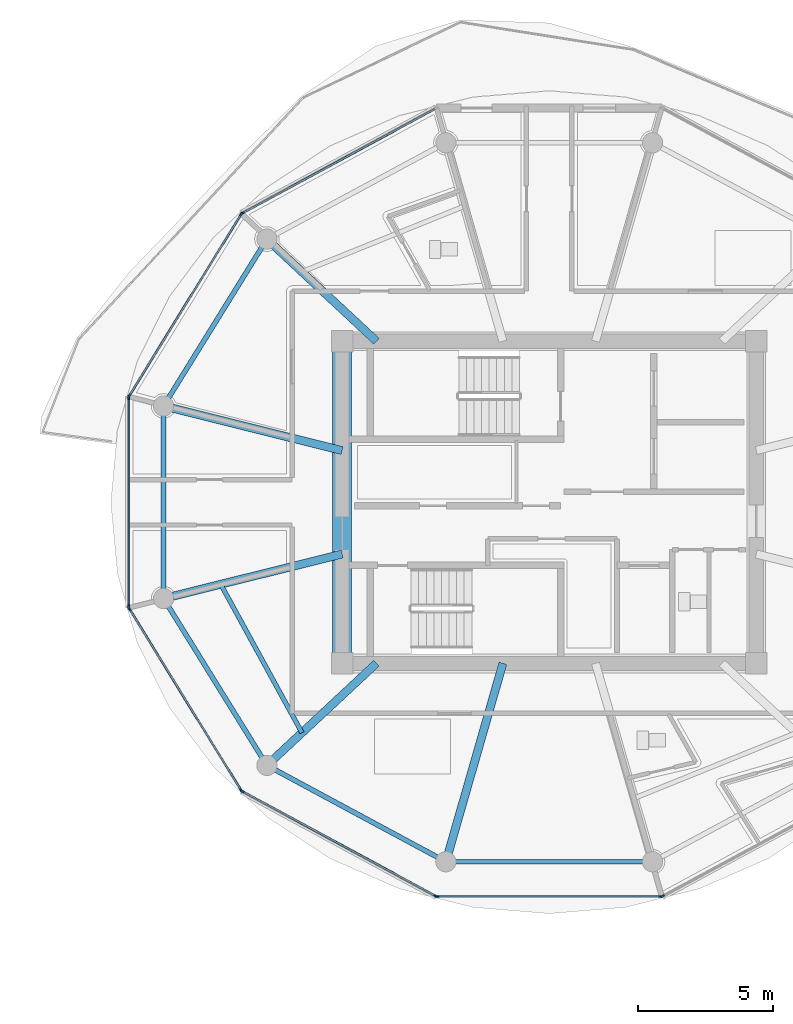
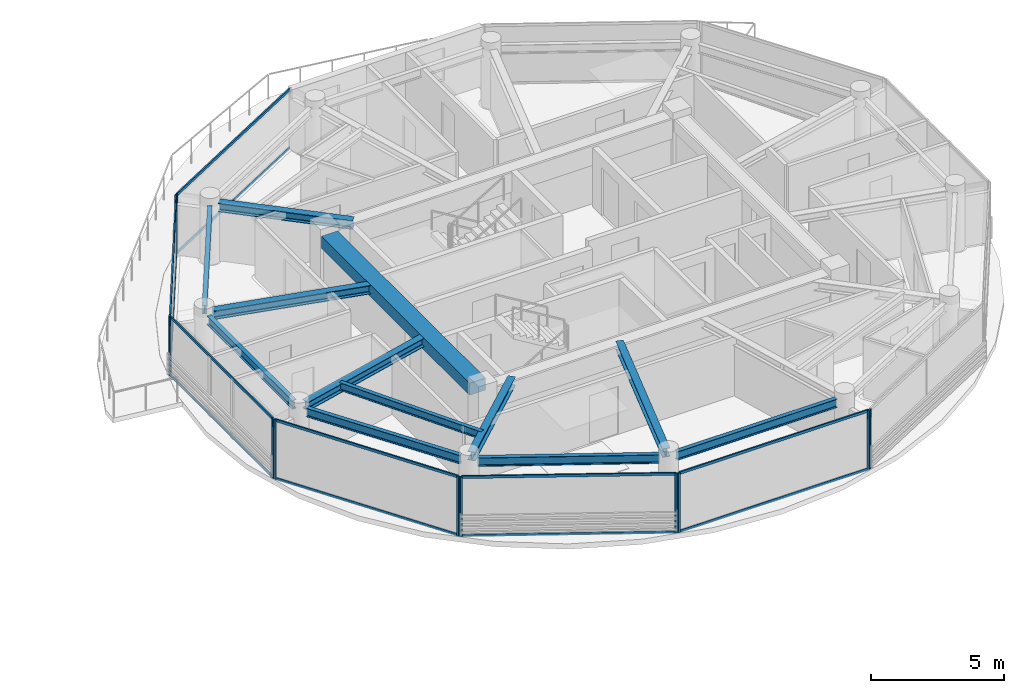
# One storey, part 5 of 21: 24 members, 12 beams, 7 elements without a shape of their own.
"""IFC4 building model written with IfcOpenShell, lengths in metres."""

from ifc_helpers import new_model, si_unit, direction, frame, origin, origin_2d, place, context, subcontext, project, spatial, rectangle, i_section, extrude, source, transform, mapped, material, layer, layer_set, material_profile, profile_set, type_object, type_shapes, element, aggregate, save


model = new_model("IFC4")

# Units and contexts
model_context = context("Model", 3, precision=1e-05, world=origin(), true_north=direction((0.0, 1.0)))
body_context = subcontext(model_context, "Body", "Model", "MODEL_VIEW")
ifc_project = project(units=[si_unit("LENGTHUNIT", "METRE"), si_unit("AREAUNIT", "SQUARE_METRE"), si_unit("VOLUMEUNIT", "CUBIC_METRE"), si_unit("PLANEANGLEUNIT", "RADIAN"), si_unit("MASSUNIT", "GRAM", prefix="KILO")], contexts=[model_context])

# Site, building, storey
site_placement = place(None, origin())
site = spatial("IfcSite", under=ifc_project, at=site_placement, CompositionType="ELEMENT")
building_placement = place(site_placement, origin())
building = spatial("IfcBuilding", under=site, at=building_placement, Name="Norrkilde Senior Care Towers", CompositionType="ELEMENT")
storey_placement = place(building_placement, frame((0.0, 0.0, 241.35009765625)))
storey = spatial("IfcBuildingStorey", under=building, at=storey_placement, Name="L75", CompositionType="ELEMENT", Elevation=241.35009765625)

# Beams
ifc_material_1 = material(Name="Concrete C60/75", Category="concrete")
ifc_material_profile_1 = material_profile(ifc_material_1, rectangle(XDim=0.699951171875, YDim=0.550048828125, at=origin_2d()), Name="RC BM 700x550")
ifc_profile_set_1 = profile_set([ifc_material_profile_1], Name="Concrete C60/75")
beam_type_1 = type_object("IfcBeamType", Name="Core Portal Coupling Beam 700x550", PredefinedType="USERDEFINED", material=ifc_profile_set_1)
shared_shape_1 = source(origin(), body_context, "Body", "SweptSolid", [
    extrude(rectangle(XDim=0.699951171875, YDim=0.550048828125, at=origin_2d()), origin(), (0.0, 0.0, 1.0), 11.14013671875),
])
type_shapes(beam_type_1, [shared_shape_1])
beam_1_placement = place(storey_placement, frame((20.35009765625, -5.570068359375, 2.454833984375), z_axis=(0.0, 1.0, 0.0), x_axis=(-1.0, 0.0, 0.0)))
element("IfcBeam", 1, at=beam_1_placement, inside=storey, type_object=beam_type_1, Name="L75 Core E W Coupling Girder", ObjectType="GIRDER", PredefinedType="USERDEFINED", context=body_context, shape_type="MappedRepresentation", body=[
    mapped(shared_shape_1, transform((0.0, 0.0, 0.0), x_axis=(1.0, 0.0, 0.0), y_axis=(0.0, 1.0, 0.0), z_axis=(0.0, 0.0, 1.0), scale=1.0)),
])
ifc_material_2 = material(Name="Steel S355", Category="steel")
ifc_material_profile_2 = material_profile(ifc_material_2, i_section(OverallWidth=0.179931640625, OverallDepth=0.39990234375, WebThickness=0.008544921875, FlangeThickness=0.013427734375, FilletRadius=0.02099609375, at=origin_2d()), Name="IPE 400")
ifc_profile_set_2 = profile_set([ifc_material_profile_2], Name="Steel S355")
beam_type_2 = type_object("IfcBeamType", Name="Perimeter Ring Spandrel Z4 IPE400", PredefinedType="SPANDREL", material=ifc_profile_set_2)
shared_shape_2 = source(origin(), body_context, "Body", "SweptSolid", [
    extrude(i_section(OverallWidth=0.179931640625, OverallDepth=0.39990234375, WebThickness=0.008544921875, FlangeThickness=0.013427734375, FilletRadius=0.02099609375, at=origin_2d()), origin(), (0.0, 0.0, 1.0), 6.58056640625),
])
for number, where, z_axis, x_axis, name in (
    (2, (17.393798828125, 9.43798828125, 2.52978515625), (-0.526529583789, -0.850156807533, 0.0), (0.850156807533, -0.526529583789, 0.0), "L75 Drum E Perimeter Spandrel 05"),
    (3, (13.928955078125, -3.843505859375, 2.52978515625), (0.526529583789, -0.850156807533, 0.0), (0.850156807533, 0.526529583789, 0.0), "L75 Drum E Perimeter Spandrel 07"),
):
    element("IfcBeam", number, at=place(storey_placement, frame(where, z_axis=z_axis, x_axis=x_axis)), inside=storey, type_object=beam_type_2, Name=name, PredefinedType="SPANDREL", context=body_context, shape_type="MappedRepresentation", body=[
        mapped(shared_shape_2, transform((0.0, 0.0, 0.0), x_axis=(1.0, 0.0, 0.0), y_axis=(0.0, 1.0, 0.0), z_axis=(0.0, 0.0, 1.0), scale=1.0)),
    ])
ifc_material_profile_3 = material_profile(ifc_material_2, i_section(OverallWidth=0.300048828125, OverallDepth=0.39990234375, WebThickness=0.013427734375, FlangeThickness=0.02392578125, FilletRadius=0.027099609375, at=origin_2d()), Name="HEB 400")
ifc_profile_set_3 = profile_set([ifc_material_profile_3], Name="Steel S355")
beam_type_3 = type_object("IfcBeamType", Name="Radial Floor Beam Z4 HEB400", PredefinedType="BEAM", material=ifc_profile_set_3)
shared_shape_3 = source(origin(), body_context, "Body", "SweptSolid", [
    extrude(i_section(OverallWidth=0.300048828125, OverallDepth=0.39990234375, WebThickness=0.013427734375, FlangeThickness=0.02392578125, FilletRadius=0.027099609375, at=origin_2d()), origin(), (0.0, 0.0, 1.0), 6.465087890625),
])
for number, where, z_axis, x_axis, name in (
    (4, (20.35009765625, 1.910888671875, 2.52978515625), (-0.970195788563, 0.242322371758, 0.0), (-0.242322371758, -0.970195788563, 0.0), "L75 Drum E Radial Floor Beam 06"),
    (5, (20.35009765625, -1.910888671875, 2.52978515625), (-0.970195788563, -0.242322371758, 0.0), (0.242322371758, -0.970195788563, 0.0), "L75 Drum E Radial Floor Beam 07"),
):
    element("IfcBeam", number, at=place(storey_placement, frame(where, z_axis=z_axis, x_axis=x_axis)), inside=storey, type_object=beam_type_3, Name=name, PredefinedType="BEAM", context=body_context, shape_type="MappedRepresentation", body=[
        mapped(shared_shape_3, transform((0.0, 0.0, 0.0), x_axis=(1.0, 0.0, 0.0), y_axis=(0.0, 1.0, 0.0), z_axis=(0.0, 0.0, 1.0), scale=1.0)),
    ])
shared_shape_4 = source(origin(), body_context, "Body", "SweptSolid", [
    extrude(i_section(OverallWidth=0.179931640625, OverallDepth=0.39990234375, WebThickness=0.008544921875, FlangeThickness=0.013427734375, FilletRadius=0.02099609375, at=origin_2d()), origin(), (0.0, 0.0, 1.0), 6.839111328125),
])
beam_2_placement = place(storey_placement, frame((17.865234375, -9.881591796875, 2.52978515625), z_axis=(0.880563930732, -0.473927382511, 0.0), x_axis=(0.473927382511, 0.880563930732, 0.0)))
element("IfcBeam", 6, at=beam_2_placement, inside=storey, type_object=beam_type_2, Name="L75 Drum E Perimeter Spandrel 08", PredefinedType="SPANDREL", context=body_context, shape_type="MappedRepresentation", body=[
    mapped(shared_shape_4, transform((0.0, 0.0, 0.0), x_axis=(1.0, 0.0, 0.0), y_axis=(0.0, 1.0, 0.0), z_axis=(0.0, 0.0, 1.0), scale=1.0)),
])
shared_shape_5 = source(origin(), body_context, "Body", "SweptSolid", [
    extrude(i_section(OverallWidth=0.300048828125, OverallDepth=0.39990234375, WebThickness=0.013427734375, FlangeThickness=0.02392578125, FilletRadius=0.027099609375, at=origin_2d()), origin(), (0.0, 0.0, 1.0), 5.197998046875),
])
for number, where, z_axis, x_axis, name in (
    (7, (21.6171875, 5.949951171875, 2.52978515625), (-0.731448749334, 0.681896419625, 0.0), (-0.681896419625, -0.731448749334, 0.0), "L75 Drum E Radial Floor Beam 05"),
    (8, (21.6171875, -5.949951171875, 2.52978515625), (-0.731448749334, -0.681896419625, 0.0), (0.681896419625, -0.731448749334, 0.0), "L75 Drum E Radial Floor Beam 08"),
):
    element("IfcBeam", number, at=place(storey_placement, frame(where, z_axis=z_axis, x_axis=x_axis)), inside=storey, type_object=beam_type_3, Name=name, PredefinedType="BEAM", context=body_context, shape_type="MappedRepresentation", body=[
        mapped(shared_shape_5, transform((0.0, 0.0, 0.0), x_axis=(1.0, 0.0, 0.0), y_axis=(0.0, 1.0, 0.0), z_axis=(0.0, 0.0, 1.0), scale=1.0)),
    ])
shared_shape_6 = source(origin(), body_context, "Body", "SweptSolid", [
    extrude(i_section(OverallWidth=0.179931640625, OverallDepth=0.39990234375, WebThickness=0.008544921875, FlangeThickness=0.013427734375, FilletRadius=0.02099609375, at=origin_2d()), origin(), (0.0, 0.0, 1.0), 6.96533203125),
])
beam_3_placement = place(storey_placement, frame((24.517333984375, -13.281494140625, 2.52978515625), z_axis=(1.0, 0.0, 0.0), x_axis=(0.0, 1.0, 0.0)))
element("IfcBeam", 9, at=beam_3_placement, inside=storey, type_object=beam_type_2, Name="L75 Drum E Perimeter Spandrel 09", PredefinedType="SPANDREL", context=body_context, shape_type="MappedRepresentation", body=[
    mapped(shared_shape_6, transform((0.0, 0.0, 0.0), x_axis=(1.0, 0.0, 0.0), y_axis=(0.0, 1.0, 0.0), z_axis=(0.0, 0.0, 1.0), scale=1.0)),
])
shared_shape_7 = source(origin(), body_context, "Body", "SweptSolid", [
    extrude(i_section(OverallWidth=0.300048828125, OverallDepth=0.39990234375, WebThickness=0.013427734375, FlangeThickness=0.02392578125, FilletRadius=0.027099609375, at=origin_2d()), origin(), (0.0, 0.0, 1.0), 7.29345703125),
])
type_shapes(beam_type_3, [shared_shape_3, shared_shape_5, shared_shape_7])
beam_4_placement = place(storey_placement, frame((26.289794921875, -5.949951171875, 2.52978515625), z_axis=(-0.276263751906, -0.961081858836, 0.0), x_axis=(0.961081858836, -0.276263751906, 0.0)))
element("IfcBeam", 10, at=beam_4_placement, inside=storey, type_object=beam_type_3, Name="L75 Drum E Radial Floor Beam 09", PredefinedType="BEAM", context=body_context, shape_type="MappedRepresentation", body=[
    mapped(shared_shape_7, transform((0.0, 0.0, 0.0), x_axis=(1.0, 0.0, 0.0), y_axis=(0.0, 1.0, 0.0), z_axis=(0.0, 0.0, 1.0), scale=1.0)),
])
shared_shape_8 = source(origin(), body_context, "Body", "SweptSolid", [
    extrude(i_section(OverallWidth=0.179931640625, OverallDepth=0.39990234375, WebThickness=0.008544921875, FlangeThickness=0.013427734375, FilletRadius=0.02099609375, at=origin_2d()), origin(), (0.0, 0.0, 1.0), 6.44775390625),
])
type_shapes(beam_type_2, [shared_shape_2, shared_shape_4, shared_shape_6, shared_shape_8])
beam_5_placement = place(storey_placement, frame((13.752685546875, 3.223876953125, 2.52978515625), z_axis=(0.0, -1.0, 0.0), x_axis=(1.0, 0.0, 0.0)))
element("IfcBeam", 11, at=beam_5_placement, inside=storey, type_object=beam_type_2, Name="L75 Drum E Perimeter Spandrel 06", PredefinedType="SPANDREL", context=body_context, shape_type="MappedRepresentation", body=[
    mapped(shared_shape_8, transform((0.0, 0.0, 0.0), x_axis=(1.0, 0.0, 0.0), y_axis=(0.0, 1.0, 0.0), z_axis=(0.0, 0.0, 1.0), scale=1.0)),
])
ifc_material_profile_4 = material_profile(ifc_material_2, i_section(OverallWidth=0.169921875, OverallDepth=0.360107421875, WebThickness=0.008056640625, FlangeThickness=0.0126953125, FilletRadius=0.01806640625, at=origin_2d()), Name="IPE 360")
ifc_profile_set_4 = profile_set([ifc_material_profile_4], Name="Steel S355")
beam_type_4 = type_object("IfcBeamType", Name="Secondary Floor Joist IPE360", PredefinedType="JOIST", material=ifc_profile_set_4)
shared_shape_9 = source(origin(), body_context, "Body", "SweptSolid", [
    extrude(i_section(OverallWidth=0.169921875, OverallDepth=0.360107421875, WebThickness=0.008056640625, FlangeThickness=0.0126953125, FilletRadius=0.01806640625, at=origin_2d()), origin(), (0.0, 0.0, 1.0), 6.25146484375),
])
type_shapes(beam_type_4, [shared_shape_9])
beam_6_placement = place(storey_placement, frame((15.86376953125, -3.031494140625, 2.5498046875), z_axis=(0.480115752653, -0.877205143655, 0.0), x_axis=(0.877205143655, 0.480115752653, 0.0)))
element("IfcBeam", 12, at=beam_6_placement, inside=storey, type_object=beam_type_4, Name="L75 Drum E Secondary Floor Joist 3", PredefinedType="JOIST", context=body_context, shape_type="MappedRepresentation", body=[
    mapped(shared_shape_9, transform((0.0, 0.0, 0.0), x_axis=(1.0, 0.0, 0.0), y_axis=(0.0, 1.0, 0.0), z_axis=(0.0, 0.0, 1.0), scale=1.0)),
])

# Curtain wall, member
ifc_material_3 = material(Name="Triple Low-E Insulated Glazing", Category="glass")
ifc_layer = layer(ifc_material_3, 0.18505859375)
ifc_layer_set = layer_set([ifc_layer], Name="Triple Low-E Insulated Glazing")
curtain_wall_type = type_object("IfcCurtainWallType", Name="CW6 Zone 4 Crown Pavilion Curtain Wall", PredefinedType="NOTDEFINED", material=ifc_layer_set)
curtain_wall_1_placement = place(storey_placement, origin())
curtain_wall_1 = element("IfcCurtainWall", 13, at=curtain_wall_1_placement, inside=storey, type_object=curtain_wall_type, Name="L75 Drum E Curtain Wall 03", PredefinedType="NOTDEFINED")
ifc_material_4 = material(Name="Anodised Aluminium", Category="aluminium")
ifc_material_profile_5 = material_profile(ifc_material_4, rectangle(XDim=0.06494140625, YDim=0.14990234375, at=origin_2d()), Name="ALU MULL 65x150")
ifc_profile_set_5 = profile_set([ifc_material_profile_5], Name="Anodised Aluminium")
member_type_1 = type_object("IfcMemberType", Name="Curtain Wall Mullion Z3-Z4 65x150", PredefinedType="MULLION", material=ifc_profile_set_5)
shared_shape_10 = source(origin(), body_context, "Body", "SweptSolid", [
    extrude(rectangle(XDim=0.06494140625, YDim=0.14990234375, at=origin_2d()), origin(), (0.0, 0.0, 1.0), 2.72998046875),
])
type_shapes(member_type_1, [shared_shape_10])
member_1_placement = place(storey_placement, frame((16.658203125, 10.6787109375, 0.0), z_axis=(0.0, 0.0, 1.0), x_axis=(-0.476132676136, 0.879373455772, 0.0)))
member_1 = element("IfcMember", 14, at=member_1_placement, type_object=member_type_1, Name="CW-6 mullion 1", PredefinedType="MULLION", context=body_context, shape_type="MappedRepresentation", body=[
    mapped(shared_shape_10, transform((0.0, 0.0, 0.0), x_axis=(1.0, 0.0, 0.0), y_axis=(0.0, 1.0, 0.0), z_axis=(0.0, 0.0, 1.0), scale=1.0)),
])

# Curtain wall, members
curtain_wall_2_placement = place(storey_placement, origin())
curtain_wall_2 = element("IfcCurtainWall", 15, at=curtain_wall_2_placement, inside=storey, type_object=curtain_wall_type, Name="L75 Drum E Curtain Wall 04", PredefinedType="NOTDEFINED")
member_2_placement = place(storey_placement, frame((12.48486328125, 3.9306640625, 0.0), z_axis=(0.0, 0.0, 1.0), x_axis=(-0.851562727283, 0.524252726748, 0.0)))
member_2 = element("IfcMember", 16, at=member_2_placement, type_object=member_type_1, Name="CW-6 mullion 1", PredefinedType="MULLION", context=body_context, shape_type="MappedRepresentation", body=[
    mapped(shared_shape_10, transform((0.0, 0.0, 0.0), x_axis=(1.0, 0.0, 0.0), y_axis=(0.0, 1.0, 0.0), z_axis=(0.0, 0.0, 1.0), scale=1.0)),
])
member_3_placement = place(storey_placement, frame((16.61279296875, 10.635498046875, 0.0), z_axis=(0.0, 0.0, 1.0), x_axis=(-0.851562727283, 0.524252726748, 0.0)))
member_3 = element("IfcMember", 17, at=member_3_placement, type_object=member_type_1, Name="CW-6 mullion 2", PredefinedType="MULLION", context=body_context, shape_type="MappedRepresentation", body=[
    mapped(shared_shape_10, transform((0.0, 0.0, 0.0), x_axis=(1.0, 0.0, 0.0), y_axis=(0.0, 1.0, 0.0), z_axis=(0.0, 0.0, 1.0), scale=1.0)),
])

curtain_wall_3_placement = place(storey_placement, origin())
curtain_wall_3 = element("IfcCurtainWall", 18, at=curtain_wall_3_placement, inside=storey, type_object=curtain_wall_type, Name="L75 Drum E Curtain Wall 05", PredefinedType="NOTDEFINED")
member_4_placement = place(storey_placement, frame((12.468017578125, -3.87060546875, 0.0), z_axis=(0.0, 0.0, 1.0), x_axis=(-1.0, 0.0, 0.0)))
member_4 = element("IfcMember", 19, at=member_4_placement, type_object=member_type_1, Name="CW-6 mullion 1", PredefinedType="MULLION", context=body_context, shape_type="MappedRepresentation", body=[
    mapped(shared_shape_10, transform((0.0, 0.0, 0.0), x_axis=(1.0, 0.0, 0.0), y_axis=(0.0, 1.0, 0.0), z_axis=(0.0, 0.0, 1.0), scale=1.0)),
])
member_5_placement = place(storey_placement, frame((12.468017578125, 3.87060546875, 0.0), z_axis=(0.0, 0.0, 1.0), x_axis=(-1.0, 0.0, 0.0)))
member_5 = element("IfcMember", 20, at=member_5_placement, type_object=member_type_1, Name="CW-6 mullion 2", PredefinedType="MULLION", context=body_context, shape_type="MappedRepresentation", body=[
    mapped(shared_shape_10, transform((0.0, 0.0, 0.0), x_axis=(1.0, 0.0, 0.0), y_axis=(0.0, 1.0, 0.0), z_axis=(0.0, 0.0, 1.0), scale=1.0)),
])

curtain_wall_4_placement = place(storey_placement, origin())
curtain_wall_4 = element("IfcCurtainWall", 21, at=curtain_wall_4_placement, inside=storey, type_object=curtain_wall_type, Name="L75 Drum E Curtain Wall 06", PredefinedType="NOTDEFINED")
member_6_placement = place(storey_placement, frame((16.61279296875, -10.635498046875, 0.0), z_axis=(0.0, 0.0, 1.0), x_axis=(-0.851562727283, -0.524252726748, 0.0)))
member_6 = element("IfcMember", 22, at=member_6_placement, type_object=member_type_1, Name="CW-6 mullion 1", PredefinedType="MULLION", context=body_context, shape_type="MappedRepresentation", body=[
    mapped(shared_shape_10, transform((0.0, 0.0, 0.0), x_axis=(1.0, 0.0, 0.0), y_axis=(0.0, 1.0, 0.0), z_axis=(0.0, 0.0, 1.0), scale=1.0)),
])
member_7_placement = place(storey_placement, frame((12.48486328125, -3.9306640625, 0.0), z_axis=(0.0, 0.0, 1.0), x_axis=(-0.851562727283, -0.524252726748, 0.0)))
member_7 = element("IfcMember", 23, at=member_7_placement, type_object=member_type_1, Name="CW-6 mullion 2", PredefinedType="MULLION", context=body_context, shape_type="MappedRepresentation", body=[
    mapped(shared_shape_10, transform((0.0, 0.0, 0.0), x_axis=(1.0, 0.0, 0.0), y_axis=(0.0, 1.0, 0.0), z_axis=(0.0, 0.0, 1.0), scale=1.0)),
])

curtain_wall_5_placement = place(storey_placement, origin())
curtain_wall_5 = element("IfcCurtainWall", 24, at=curtain_wall_5_placement, inside=storey, type_object=curtain_wall_type, Name="L75 Drum E Curtain Wall 07", PredefinedType="NOTDEFINED")
member_8_placement = place(storey_placement, frame((23.8095703125, -14.55078125, 0.0), z_axis=(0.0, 0.0, 1.0), x_axis=(-0.476132676136, -0.879373455772, 0.0)))
member_8 = element("IfcMember", 25, at=member_8_placement, type_object=member_type_1, Name="CW-6 mullion 1", PredefinedType="MULLION", context=body_context, shape_type="MappedRepresentation", body=[
    mapped(shared_shape_10, transform((0.0, 0.0, 0.0), x_axis=(1.0, 0.0, 0.0), y_axis=(0.0, 1.0, 0.0), z_axis=(0.0, 0.0, 1.0), scale=1.0)),
])
member_9_placement = place(storey_placement, frame((16.658203125, -10.6787109375, 0.0), z_axis=(0.0, 0.0, 1.0), x_axis=(-0.476132676136, -0.879373455772, 0.0)))
member_9 = element("IfcMember", 26, at=member_9_placement, type_object=member_type_1, Name="CW-6 mullion 2", PredefinedType="MULLION", context=body_context, shape_type="MappedRepresentation", body=[
    mapped(shared_shape_10, transform((0.0, 0.0, 0.0), x_axis=(1.0, 0.0, 0.0), y_axis=(0.0, 1.0, 0.0), z_axis=(0.0, 0.0, 1.0), scale=1.0)),
])

curtain_wall_6_placement = place(storey_placement, origin())
curtain_wall_6 = element("IfcCurtainWall", 27, at=curtain_wall_6_placement, inside=storey, type_object=curtain_wall_type, Name="L75 Drum E Curtain Wall 08", PredefinedType="NOTDEFINED")
member_10_placement = place(storey_placement, frame((32.12939453125, -14.566162109375, 0.0), z_axis=(0.0, 0.0, 1.0), x_axis=(0.0, -1.0, 0.0)))
member_10 = element("IfcMember", 28, at=member_10_placement, type_object=member_type_1, Name="CW-6 mullion 1", PredefinedType="MULLION", context=body_context, shape_type="MappedRepresentation", body=[
    mapped(shared_shape_10, transform((0.0, 0.0, 0.0), x_axis=(1.0, 0.0, 0.0), y_axis=(0.0, 1.0, 0.0), z_axis=(0.0, 0.0, 1.0), scale=1.0)),
])
member_11_placement = place(storey_placement, frame((23.87060546875, -14.566162109375, 0.0), z_axis=(0.0, 0.0, 1.0), x_axis=(0.0, -1.0, 0.0)))
member_11 = element("IfcMember", 29, at=member_11_placement, type_object=member_type_1, Name="CW-6 mullion 2", PredefinedType="MULLION", context=body_context, shape_type="MappedRepresentation", body=[
    mapped(shared_shape_10, transform((0.0, 0.0, 0.0), x_axis=(1.0, 0.0, 0.0), y_axis=(0.0, 1.0, 0.0), z_axis=(0.0, 0.0, 1.0), scale=1.0)),
])

# Curtain wall, member
curtain_wall_7_placement = place(storey_placement, origin())
curtain_wall_7 = element("IfcCurtainWall", 30, at=curtain_wall_7_placement, inside=storey, type_object=curtain_wall_type, Name="L75 Drum E Curtain Wall 09", PredefinedType="NOTDEFINED")
member_12_placement = place(storey_placement, frame((32.1904296875, -14.55078125, 0.0), z_axis=(0.0, 0.0, 1.0), x_axis=(0.476132676136, -0.879373455772, 0.0)))
member_12 = element("IfcMember", 31, at=member_12_placement, type_object=member_type_1, Name="CW-6 mullion 2", PredefinedType="MULLION", context=body_context, shape_type="MappedRepresentation", body=[
    mapped(shared_shape_10, transform((0.0, 0.0, 0.0), x_axis=(1.0, 0.0, 0.0), y_axis=(0.0, 1.0, 0.0), z_axis=(0.0, 0.0, 1.0), scale=1.0)),
])
aggregate(curtain_wall_7, [member_12])

# Member
ifc_material_profile_6 = material_profile(ifc_material_4, rectangle(XDim=0.06005859375, YDim=0.1201171875, at=origin_2d()), Name="ALU TRAN 60x120")
ifc_profile_set_6 = profile_set([ifc_material_profile_6], Name="Anodised Aluminium")
member_type_2 = type_object("IfcMemberType", Name="Curtain Wall Transom Typical 60x120", PredefinedType="USERDEFINED", material=ifc_profile_set_6)
shared_shape_11 = source(origin(), body_context, "Body", "SweptSolid", [
    extrude(rectangle(XDim=0.06005859375, YDim=0.1201171875, at=origin_2d()), origin(), (0.0, 0.0, 1.0), 7.808837890625),
])
member_13_placement = place(storey_placement, frame((12.501953125, 3.958251953125, 0.02978515625), z_axis=(0.524250924101, 0.851563837055, 0.0), x_axis=(-0.851563837055, 0.524250924101, 0.0)))
member_13 = element("IfcMember", 32, at=member_13_placement, type_object=member_type_2, Name="CW-6 transom 1.1", ObjectType="TRANSOM", PredefinedType="USERDEFINED", context=body_context, shape_type="MappedRepresentation", body=[
    mapped(shared_shape_11, transform((0.0, 0.0, 0.0), x_axis=(1.0, 0.0, 0.0), y_axis=(0.0, 1.0, 0.0), z_axis=(0.0, 0.0, 1.0), scale=1.0)),
])

member_14_placement = place(storey_placement, frame((12.501953125, 3.958251953125, 2.699951171875), z_axis=(0.524250924101, 0.851563837055, 0.0), x_axis=(-0.851563837055, 0.524250924101, 0.0)))
member_14 = element("IfcMember", 33, at=member_14_placement, type_object=member_type_2, Name="CW-6 transom 1.2", ObjectType="TRANSOM", PredefinedType="USERDEFINED", context=body_context, shape_type="MappedRepresentation", body=[
    mapped(shared_shape_11, transform((0.0, 0.0, 0.0), x_axis=(1.0, 0.0, 0.0), y_axis=(0.0, 1.0, 0.0), z_axis=(0.0, 0.0, 1.0), scale=1.0)),
])

aggregate(curtain_wall_2, [member_2, member_3, member_13, member_14])

member_15_placement = place(storey_placement, frame((16.595703125, -10.60791015625, 0.02978515625), z_axis=(-0.524250924101, 0.851563837055, 0.0), x_axis=(-0.851563837055, -0.524250924101, 0.0)))
member_15 = element("IfcMember", 34, at=member_15_placement, type_object=member_type_2, Name="CW-6 transom 1.1", ObjectType="TRANSOM", PredefinedType="USERDEFINED", context=body_context, shape_type="MappedRepresentation", body=[
    mapped(shared_shape_11, transform((0.0, 0.0, 0.0), x_axis=(1.0, 0.0, 0.0), y_axis=(0.0, 1.0, 0.0), z_axis=(0.0, 0.0, 1.0), scale=1.0)),
])

member_16_placement = place(storey_placement, frame((16.595703125, -10.60791015625, 2.699951171875), z_axis=(-0.524250924101, 0.851563837055, 0.0), x_axis=(-0.851563837055, -0.524250924101, 0.0)))
member_16 = element("IfcMember", 35, at=member_16_placement, type_object=member_type_2, Name="CW-6 transom 1.2", ObjectType="TRANSOM", PredefinedType="USERDEFINED", context=body_context, shape_type="MappedRepresentation", body=[
    mapped(shared_shape_11, transform((0.0, 0.0, 0.0), x_axis=(1.0, 0.0, 0.0), y_axis=(0.0, 1.0, 0.0), z_axis=(0.0, 0.0, 1.0), scale=1.0)),
])

aggregate(curtain_wall_4, [member_6, member_7, member_15, member_16])

shared_shape_12 = source(origin(), body_context, "Body", "SweptSolid", [
    extrude(rectangle(XDim=0.06005859375, YDim=0.1201171875, at=origin_2d()), origin(), (0.0, 0.0, 1.0), 8.19384765625),
])
member_17_placement = place(storey_placement, frame((32.096923828125, -14.566162109375, 0.02978515625), z_axis=(-1.0, 0.0, 0.0), x_axis=(0.0, -1.0, 0.0)))
member_17 = element("IfcMember", 36, at=member_17_placement, type_object=member_type_2, Name="CW-6 transom 1.1", ObjectType="TRANSOM", PredefinedType="USERDEFINED", context=body_context, shape_type="MappedRepresentation", body=[
    mapped(shared_shape_12, transform((0.0, 0.0, 0.0), x_axis=(1.0, 0.0, 0.0), y_axis=(0.0, 1.0, 0.0), z_axis=(0.0, 0.0, 1.0), scale=1.0)),
])

member_18_placement = place(storey_placement, frame((32.096923828125, -14.566162109375, 2.699951171875), z_axis=(-1.0, 0.0, 0.0), x_axis=(0.0, -1.0, 0.0)))
member_18 = element("IfcMember", 37, at=member_18_placement, type_object=member_type_2, Name="CW-6 transom 1.2", ObjectType="TRANSOM", PredefinedType="USERDEFINED", context=body_context, shape_type="MappedRepresentation", body=[
    mapped(shared_shape_12, transform((0.0, 0.0, 0.0), x_axis=(1.0, 0.0, 0.0), y_axis=(0.0, 1.0, 0.0), z_axis=(0.0, 0.0, 1.0), scale=1.0)),
])

aggregate(curtain_wall_6, [member_10, member_11, member_17, member_18])

shared_shape_13 = source(origin(), body_context, "Body", "SweptSolid", [
    extrude(rectangle(XDim=0.06005859375, YDim=0.1201171875, at=origin_2d()), origin(), (0.0, 0.0, 1.0), 8.0673828125),
])
member_19_placement = place(storey_placement, frame((16.686767578125, 10.694091796875, 0.02978515625), z_axis=(0.87937750072, 0.476125205411, 0.0), x_axis=(-0.476125205411, 0.87937750072, 0.0)))
member_19 = element("IfcMember", 38, at=member_19_placement, type_object=member_type_2, Name="CW-6 transom 1.1", ObjectType="TRANSOM", PredefinedType="USERDEFINED", context=body_context, shape_type="MappedRepresentation", body=[
    mapped(shared_shape_13, transform((0.0, 0.0, 0.0), x_axis=(1.0, 0.0, 0.0), y_axis=(0.0, 1.0, 0.0), z_axis=(0.0, 0.0, 1.0), scale=1.0)),
])

member_20_placement = place(storey_placement, frame((16.686767578125, 10.694091796875, 2.699951171875), z_axis=(0.87937750072, 0.476125205411, 0.0), x_axis=(-0.476125205411, 0.87937750072, 0.0)))
member_20 = element("IfcMember", 39, at=member_20_placement, type_object=member_type_2, Name="CW-6 transom 1.2", ObjectType="TRANSOM", PredefinedType="USERDEFINED", context=body_context, shape_type="MappedRepresentation", body=[
    mapped(shared_shape_13, transform((0.0, 0.0, 0.0), x_axis=(1.0, 0.0, 0.0), y_axis=(0.0, 1.0, 0.0), z_axis=(0.0, 0.0, 1.0), scale=1.0)),
])

aggregate(curtain_wall_1, [member_1, member_19, member_20])

member_21_placement = place(storey_placement, frame((23.781005859375, -14.53515625, 0.02978515625), z_axis=(-0.87937750072, 0.476125205411, 0.0), x_axis=(-0.476125205411, -0.87937750072, 0.0)))
member_21 = element("IfcMember", 40, at=member_21_placement, type_object=member_type_2, Name="CW-6 transom 1.1", ObjectType="TRANSOM", PredefinedType="USERDEFINED", context=body_context, shape_type="MappedRepresentation", body=[
    mapped(shared_shape_13, transform((0.0, 0.0, 0.0), x_axis=(1.0, 0.0, 0.0), y_axis=(0.0, 1.0, 0.0), z_axis=(0.0, 0.0, 1.0), scale=1.0)),
])

member_22_placement = place(storey_placement, frame((23.781005859375, -14.53515625, 2.699951171875), z_axis=(-0.87937750072, 0.476125205411, 0.0), x_axis=(-0.476125205411, -0.87937750072, 0.0)))
member_22 = element("IfcMember", 41, at=member_22_placement, type_object=member_type_2, Name="CW-6 transom 1.2", ObjectType="TRANSOM", PredefinedType="USERDEFINED", context=body_context, shape_type="MappedRepresentation", body=[
    mapped(shared_shape_13, transform((0.0, 0.0, 0.0), x_axis=(1.0, 0.0, 0.0), y_axis=(0.0, 1.0, 0.0), z_axis=(0.0, 0.0, 1.0), scale=1.0)),
])

aggregate(curtain_wall_5, [member_8, member_9, member_21, member_22])

shared_shape_14 = source(origin(), body_context, "Body", "SweptSolid", [
    extrude(rectangle(XDim=0.06005859375, YDim=0.1201171875, at=origin_2d()), origin(), (0.0, 0.0, 1.0), 7.67578125),
])
type_shapes(member_type_2, [shared_shape_11, shared_shape_12, shared_shape_13, shared_shape_14])
member_23_placement = place(storey_placement, frame((12.468017578125, -3.837890625, 0.02978515625), z_axis=(0.0, 1.0, 0.0), x_axis=(-1.0, 0.0, 0.0)))
member_23 = element("IfcMember", 42, at=member_23_placement, type_object=member_type_2, Name="CW-6 transom 1.1", ObjectType="TRANSOM", PredefinedType="USERDEFINED", context=body_context, shape_type="MappedRepresentation", body=[
    mapped(shared_shape_14, transform((0.0, 0.0, 0.0), x_axis=(1.0, 0.0, 0.0), y_axis=(0.0, 1.0, 0.0), z_axis=(0.0, 0.0, 1.0), scale=1.0)),
])

member_24_placement = place(storey_placement, frame((12.468017578125, -3.837890625, 2.699951171875), z_axis=(0.0, 1.0, 0.0), x_axis=(-1.0, 0.0, 0.0)))
member_24 = element("IfcMember", 43, at=member_24_placement, type_object=member_type_2, Name="CW-6 transom 1.2", ObjectType="TRANSOM", PredefinedType="USERDEFINED", context=body_context, shape_type="MappedRepresentation", body=[
    mapped(shared_shape_14, transform((0.0, 0.0, 0.0), x_axis=(1.0, 0.0, 0.0), y_axis=(0.0, 1.0, 0.0), z_axis=(0.0, 0.0, 1.0), scale=1.0)),
])

aggregate(curtain_wall_3, [member_4, member_5, member_23, member_24])

save(model, "model.ifc")
